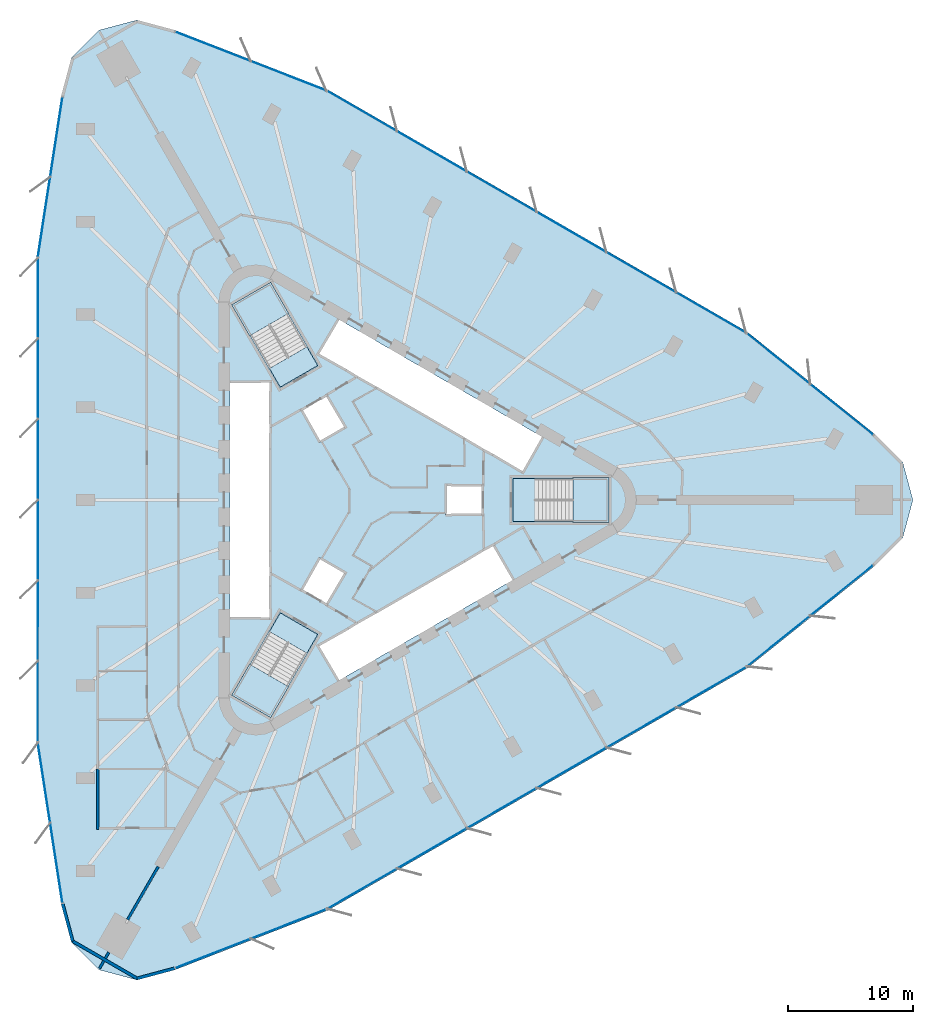
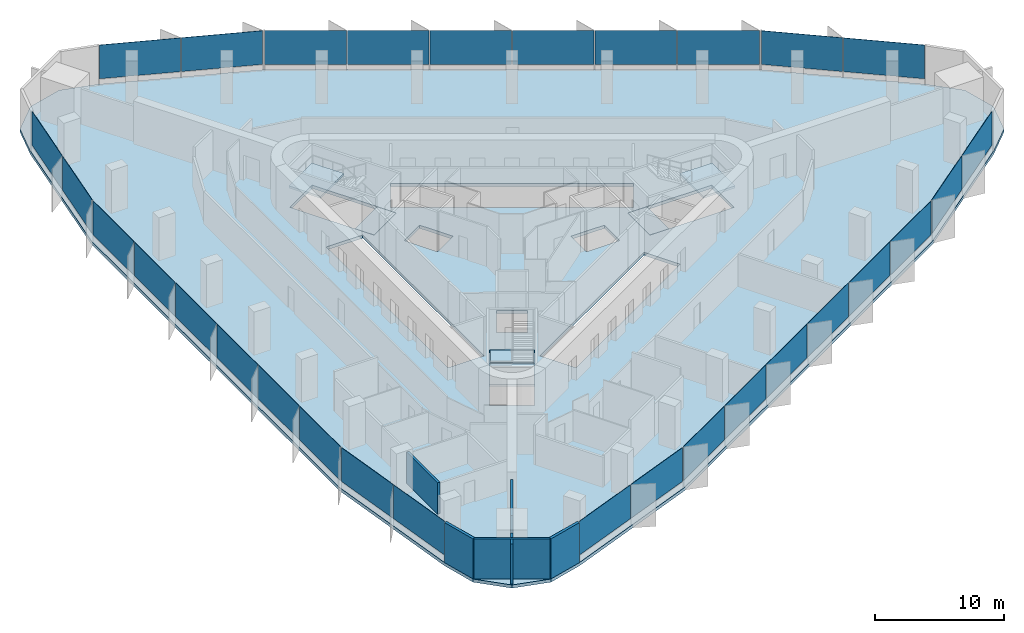
# One storey, part 8 of 15: 30 plates, 7 slabs, 7 walls, 12 elements without a shape of their own.
"""IFC4 building model written with IfcOpenShell, lengths in metres."""

from ifc_helpers import new_model, si_unit, direction, frame, frame_2d, origin, origin_2d, place, context, subcontext, project, spatial, polyline, rectangle, outline, extrude, material, layer, layer_set, type_object, element, aggregate, save


model = new_model("IFC4")

# Units and contexts
model_context = context("Model", 3, precision=1e-05, world=origin(), true_north=direction((0.0, 1.0)))
body_context = subcontext(model_context, "Body", "Model", "MODEL_VIEW")
ifc_project = project(units=[si_unit("LENGTHUNIT", "METRE"), si_unit("AREAUNIT", "SQUARE_METRE"), si_unit("VOLUMEUNIT", "CUBIC_METRE"), si_unit("PLANEANGLEUNIT", "RADIAN"), si_unit("MASSUNIT", "GRAM", prefix="KILO")], contexts=[model_context])

# Site, building, storey
site_placement = place(None, origin())
site = spatial("IfcSite", under=ifc_project, at=site_placement, CompositionType="ELEMENT")
building_placement = place(site_placement, origin())
building = spatial("IfcBuilding", under=site, at=building_placement, Name="Tanit Gate Tower", CompositionType="ELEMENT")
storey_placement = place(building_placement, frame((0.0, 0.0, 131.60009765625)))
storey = spatial("IfcBuildingStorey", under=building, at=storey_placement, Name="L28", CompositionType="ELEMENT", Elevation=131.60009765625)

# Slab
ifc_material_1 = material(Name="Concrete C35/45", Category="concrete")
ifc_layer_1 = layer(ifc_material_1, 0.300048828125)
ifc_layer_set_1 = layer_set([ifc_layer_1], Name="FLOOR SLAB 300 C35/45")
slab_type_1 = type_object("IfcSlabType", Name="FLOOR SLAB 300 C35/45", PredefinedType="FLOOR", material=ifc_layer_set_1)
slab_1_placement = place(storey_placement, frame((0.0, 0.0, -0.300048828125)))
element("IfcSlab", 1, at=slab_1_placement, inside=storey, type_object=slab_type_1, Name="FLOOR SLAB L28", PredefinedType="FLOOR", context=body_context, shape_type="SweptSolid", body=[
    extrude(outline(polyline([(40.200439453125, 5.24365234375), (42.41650390625, 3.02734375), (43.227783203125, 0.0), (42.41650390625, -3.02734375), (40.200439453125, -5.24365234375), (30.038818359375, -13.397216796875), (-3.418212890625, -32.710693359375), (-15.55908203125, -37.436279296875), (-18.58642578125, -38.24755859375), (-21.614013671875, -37.436279296875), (-23.830078125, -35.22021484375), (-24.641357421875, -32.192626953125), (-26.62158203125, -19.315673828125), (-26.619140625, 19.315673828125), (-24.641357421875, 32.192626953125), (-23.830078125, 35.22021484375), (-21.614013671875, 37.436279296875), (-18.58642578125, 38.24755859375), (-15.55908203125, 37.436279296875), (-3.4169921875, 32.712890625), (30.037353515625, 13.39501953125), (40.200439453125, 5.24365234375)]), holes=[polyline([(11.3701171875, 1.72998046875), (18.929931640625, 1.72998046875), (18.929931640625, -1.72998046875), (11.3701171875, -1.72998046875), (11.3701171875, 1.72998046875)]), polyline([(-4.208984375, 11.60986328125), (-2.583984375, 14.424560546875), (13.783935546875, 4.974609375), (12.158935546875, 2.159912109375), (-4.208984375, 11.60986328125)]), polyline([(-4.208984375, -11.60986328125), (9.82080078125, -3.510009765625), (11.44580078125, -6.324462890625), (-2.583984375, -14.424560546875), (-4.208984375, -11.60986328125)]), polyline([(9.0, 1.199951171875), (9.0, -1.199951171875), (6.0, -1.199951171875), (6.0, 1.199951171875), (9.0, 1.199951171875)]), polyline([(-5.539306640625, 7.194091796875), (-3.460693359375, 8.394287109375), (-1.960693359375, 5.796142578125), (-4.039306640625, 4.59619140625), (-5.539306640625, 7.194091796875)]), polyline([(-1.960693359375, -5.796142578125), (-3.460693359375, -8.394287109375), (-5.539306640625, -7.194091796875), (-4.039306640625, -4.59619140625), (-1.960693359375, -5.796142578125)]), polyline([(-10.963134765625, 15.52880859375), (-7.966796875, 17.2587890625), (-4.186767578125, 10.711669921875), (-7.18310546875, 8.981689453125), (-10.963134765625, 15.52880859375)]), polyline([(-4.186767578125, -10.711669921875), (-7.966796875, -17.2587890625), (-10.963134765625, -15.52880859375), (-7.18310546875, -8.981689453125), (-4.186767578125, -10.711669921875)]), polyline([(-11.199951171875, -9.449951171875), (-11.199951171875, 9.449951171875), (-7.949951171875, 9.449951171875), (-7.949951171875, -9.449951171875), (-11.199951171875, -9.449951171875)])]), origin(), (0.0, 0.0, 1.0), 0.300048828125),
])

# Curtain wall, plates
ifc_material_2 = material(Name="Aluminium bronze anodised and glass", Category="aluminium")
curtain_wall_type = type_object("IfcCurtainWallType", Name="Curtain wall typical low", PredefinedType="NOTDEFINED", material=ifc_material_2)
curtain_wall_1_placement = place(storey_placement, origin())
curtain_wall_1 = element("IfcCurtainWall", 2, at=curtain_wall_1_placement, inside=storey, type_object=curtain_wall_type, Name="Curtain wall L28 NE1", PredefinedType="NOTDEFINED")
ifc_material_3 = material(Name="Glass tinted", Category="glass")
ifc_layer_2 = layer(ifc_material_3, 0.031982421875)
ifc_layer_set_2 = layer_set([ifc_layer_2], Name="Glass panel 32 typical low")
plate_type = type_object("IfcPlateType", Name="Glass panel 32 typical low", PredefinedType="CURTAIN_PANEL", material=ifc_layer_set_2)
plate_1_placement = place(storey_placement, frame((37.56689453125, 7.201904296875, 0.60009765625), z_axis=(0.0, 0.0, 1.0), x_axis=(-0.780084936734, 0.625673630163, 0.0)))
plate_1 = element("IfcPlate", 3, at=plate_1_placement, type_object=plate_type, Name="Glass panel L28 NE1.1", PredefinedType="CURTAIN_PANEL", context=body_context, shape_type="SweptSolid", body=[
    extrude(rectangle(XDim=6.38623046875, YDim=0.031982421875, at=origin_2d()), origin(), (0.0, 0.0, 1.0), 3.199951171875),
])
plate_2_placement = place(storey_placement, frame((32.522705078125, 11.247802734375, 0.60009765625), z_axis=(0.0, 0.0, 1.0), x_axis=(-0.780084936734, 0.625673630163, 0.0)))
plate_2 = element("IfcPlate", 4, at=plate_2_placement, type_object=plate_type, Name="Glass panel L28 NE1.2", PredefinedType="CURTAIN_PANEL", context=body_context, shape_type="SweptSolid", body=[
    extrude(rectangle(XDim=6.38623046875, YDim=0.031982421875, at=origin_2d()), origin(), (0.0, 0.0, 1.0), 3.199951171875),
])
aggregate(curtain_wall_1, [plate_1, plate_2])

curtain_wall_2_placement = place(storey_placement, origin())
curtain_wall_2 = element("IfcCurtainWall", 5, at=curtain_wall_2_placement, inside=storey, type_object=curtain_wall_type, Name="Curtain wall L28 NE2", PredefinedType="NOTDEFINED")
plate_3_placement = place(storey_placement, frame((27.154052734375, 14.92138671875, 0.60009765625), z_axis=(0.0, 0.0, 1.0), x_axis=(-0.865990732317, 0.500060047936, 0.0)))
plate_3 = element("IfcPlate", 6, at=plate_3_placement, type_object=plate_type, Name="Glass panel L28 NE2.1", PredefinedType="CURTAIN_PANEL", context=body_context, shape_type="SweptSolid", body=[
    extrude(rectangle(XDim=6.34228515625, YDim=0.031982421875, at=origin_2d()), origin(), (0.0, 0.0, 1.0), 3.199951171875),
])
plate_4_placement = place(storey_placement, frame((21.592529296875, 18.1328125, 0.60009765625), z_axis=(0.0, 0.0, 1.0), x_axis=(-0.865990732317, 0.500060047936, 0.0)))
plate_4 = element("IfcPlate", 7, at=plate_4_placement, type_object=plate_type, Name="Glass panel L28 NE2.2", PredefinedType="CURTAIN_PANEL", context=body_context, shape_type="SweptSolid", body=[
    extrude(rectangle(XDim=6.342041015625, YDim=0.031982421875, at=origin_2d()), origin(), (0.0, 0.0, 1.0), 3.199951171875),
])
plate_5_placement = place(storey_placement, frame((16.031005859375, 21.34423828125, 0.60009765625), z_axis=(0.0, 0.0, 1.0), x_axis=(-0.865990732317, 0.500060047936, 0.0)))
plate_5 = element("IfcPlate", 8, at=plate_5_placement, type_object=plate_type, Name="Glass panel L28 NE2.3", PredefinedType="CURTAIN_PANEL", context=body_context, shape_type="SweptSolid", body=[
    extrude(rectangle(XDim=6.34228515625, YDim=0.031982421875, at=origin_2d()), origin(), (0.0, 0.0, 1.0), 3.199951171875),
])
plate_6_placement = place(storey_placement, frame((10.469482421875, 24.5556640625, 0.60009765625), z_axis=(0.0, 0.0, 1.0), x_axis=(-0.865990732317, 0.500060047936, 0.0)))
plate_6 = element("IfcPlate", 9, at=plate_6_placement, type_object=plate_type, Name="Glass panel L28 NE2.4", PredefinedType="CURTAIN_PANEL", context=body_context, shape_type="SweptSolid", body=[
    extrude(rectangle(XDim=6.342041015625, YDim=0.031982421875, at=origin_2d()), origin(), (0.0, 0.0, 1.0), 3.199951171875),
])
plate_7_placement = place(storey_placement, frame((4.907958984375, 27.76708984375, 0.60009765625), z_axis=(0.0, 0.0, 1.0), x_axis=(-0.865990732317, 0.500060047936, 0.0)))
plate_7 = element("IfcPlate", 10, at=plate_7_placement, type_object=plate_type, Name="Glass panel L28 NE2.5", PredefinedType="CURTAIN_PANEL", context=body_context, shape_type="SweptSolid", body=[
    extrude(rectangle(XDim=6.34228515625, YDim=0.031982421875, at=origin_2d()), origin(), (0.0, 0.0, 1.0), 3.199951171875),
])
plate_8_placement = place(storey_placement, frame((-0.653564453125, 30.978759765625, 0.60009765625), z_axis=(0.0, 0.0, 1.0), x_axis=(-0.865990732317, 0.500060047936, 0.0)))
plate_8 = element("IfcPlate", 11, at=plate_8_placement, type_object=plate_type, Name="Glass panel L28 NE2.6", PredefinedType="CURTAIN_PANEL", context=body_context, shape_type="SweptSolid", body=[
    extrude(rectangle(XDim=6.34228515625, YDim=0.031982421875, at=origin_2d()), origin(), (0.0, 0.0, 1.0), 3.199951171875),
])
aggregate(curtain_wall_2, [plate_3, plate_4, plate_5, plate_6, plate_7, plate_8])

curtain_wall_3_placement = place(storey_placement, origin())
curtain_wall_3 = element("IfcCurtainWall", 12, at=curtain_wall_3_placement, inside=storey, type_object=curtain_wall_type, Name="Curtain wall L28 NE3", PredefinedType="NOTDEFINED")
plate_9_placement = place(storey_placement, frame((-6.51953125, 33.791015625, 0.60009765625), z_axis=(0.0, 0.0, 1.0), x_axis=(-0.931965421252, 0.362547174298, 0.0)))
plate_9 = element("IfcPlate", 13, at=plate_9_placement, type_object=plate_type, Name="Glass panel L28 NE3.1", PredefinedType="CURTAIN_PANEL", context=body_context, shape_type="SweptSolid", body=[
    extrude(rectangle(XDim=6.386474609375, YDim=0.031982421875, at=origin_2d()), origin(), (0.0, 0.0, 1.0), 3.199951171875),
])
plate_10_placement = place(storey_placement, frame((-12.5458984375, 36.135498046875, 0.60009765625), z_axis=(0.0, 0.0, 1.0), x_axis=(-0.931965421252, 0.362547174298, 0.0)))
plate_10 = element("IfcPlate", 14, at=plate_10_placement, type_object=plate_type, Name="Glass panel L28 NE3.2", PredefinedType="CURTAIN_PANEL", context=body_context, shape_type="SweptSolid", body=[
    extrude(rectangle(XDim=6.386474609375, YDim=0.031982421875, at=origin_2d()), origin(), (0.0, 0.0, 1.0), 3.199951171875),
])
aggregate(curtain_wall_3, [plate_9, plate_10])

curtain_wall_4_placement = place(storey_placement, origin())
curtain_wall_4 = element("IfcCurtainWall", 15, at=curtain_wall_4_placement, inside=storey, type_object=curtain_wall_type, Name="Curtain wall L28 W1", PredefinedType="NOTDEFINED")
plate_11_placement = place(storey_placement, frame((-25.0205078125, 28.932861328125, 0.60009765625), z_axis=(0.0, 0.0, 1.0), x_axis=(-0.151806789832, -0.988410187402, 0.0)))
plate_11 = element("IfcPlate", 16, at=plate_11_placement, type_object=plate_type, Name="Glass panel L28 W1.1", PredefinedType="CURTAIN_PANEL", context=body_context, shape_type="SweptSolid", body=[
    extrude(rectangle(XDim=6.38623046875, YDim=0.031982421875, at=origin_2d()), origin(), (0.0, 0.0, 1.0), 3.199951171875),
])
plate_12_placement = place(storey_placement, frame((-26.002197265625, 22.54150390625, 0.60009765625), z_axis=(0.0, 0.0, 1.0), x_axis=(-0.151806789832, -0.988410187402, 0.0)))
plate_12 = element("IfcPlate", 17, at=plate_12_placement, type_object=plate_type, Name="Glass panel L28 W1.2", PredefinedType="CURTAIN_PANEL", context=body_context, shape_type="SweptSolid", body=[
    extrude(rectangle(XDim=6.38623046875, YDim=0.031982421875, at=origin_2d()), origin(), (0.0, 0.0, 1.0), 3.199951171875),
])
aggregate(curtain_wall_4, [plate_11, plate_12])

curtain_wall_5_placement = place(storey_placement, origin())
curtain_wall_5 = element("IfcCurtainWall", 18, at=curtain_wall_5_placement, inside=storey, type_object=curtain_wall_type, Name="Curtain wall L28 W2", PredefinedType="NOTDEFINED")
plate_13_placement = place(storey_placement, frame((-26.499267578125, 16.055419921875, 0.60009765625), z_axis=(0.0, 0.0, 1.0), x_axis=(-6.9338772e-05, -0.999999997596, 0.0)))
plate_13 = element("IfcPlate", 19, at=plate_13_placement, type_object=plate_type, Name="Glass panel L28 W2.1", PredefinedType="CURTAIN_PANEL", context=body_context, shape_type="SweptSolid", body=[
    extrude(rectangle(XDim=6.34228515625, YDim=0.031982421875, at=origin_2d()), origin(), (0.0, 0.0, 1.0), 3.199951171875),
])
plate_14_placement = place(storey_placement, frame((-26.499755859375, 9.63330078125, 0.60009765625), z_axis=(0.0, 0.0, 1.0), x_axis=(-6.9338772e-05, -0.999999997596, 0.0)))
plate_14 = element("IfcPlate", 20, at=plate_14_placement, type_object=plate_type, Name="Glass panel L28 W2.2", PredefinedType="CURTAIN_PANEL", context=body_context, shape_type="SweptSolid", body=[
    extrude(rectangle(XDim=6.342041015625, YDim=0.031982421875, at=origin_2d()), origin(), (0.0, 0.0, 1.0), 3.199951171875),
])
plate_15_placement = place(storey_placement, frame((-26.500244140625, 3.211181640625, 0.60009765625), z_axis=(0.0, 0.0, 1.0), x_axis=(-6.9338772e-05, -0.999999997596, 0.0)))
plate_15 = element("IfcPlate", 21, at=plate_15_placement, type_object=plate_type, Name="Glass panel L28 W2.3", PredefinedType="CURTAIN_PANEL", context=body_context, shape_type="SweptSolid", body=[
    extrude(rectangle(XDim=6.34228515625, YDim=0.031982421875, at=origin_2d()), origin(), (0.0, 0.0, 1.0), 3.199951171875),
])
plate_16_placement = place(storey_placement, frame((-26.500732421875, -3.211181640625, 0.60009765625), z_axis=(0.0, 0.0, 1.0), x_axis=(-6.9338772e-05, -0.999999997596, 0.0)))
plate_16 = element("IfcPlate", 22, at=plate_16_placement, type_object=plate_type, Name="Glass panel L28 W2.4", PredefinedType="CURTAIN_PANEL", context=body_context, shape_type="SweptSolid", body=[
    extrude(rectangle(XDim=6.342041015625, YDim=0.031982421875, at=origin_2d()), origin(), (0.0, 0.0, 1.0), 3.199951171875),
])
plate_17_placement = place(storey_placement, frame((-26.5009765625, -9.63330078125, 0.60009765625), z_axis=(0.0, 0.0, 1.0), x_axis=(-6.9338772e-05, -0.999999997596, 0.0)))
plate_17 = element("IfcPlate", 23, at=plate_17_placement, type_object=plate_type, Name="Glass panel L28 W2.5", PredefinedType="CURTAIN_PANEL", context=body_context, shape_type="SweptSolid", body=[
    extrude(rectangle(XDim=6.34228515625, YDim=0.031982421875, at=origin_2d()), origin(), (0.0, 0.0, 1.0), 3.199951171875),
])
plate_18_placement = place(storey_placement, frame((-26.50146484375, -16.055419921875, 0.60009765625), z_axis=(0.0, 0.0, 1.0), x_axis=(-6.9338772e-05, -0.999999997596, 0.0)))
plate_18 = element("IfcPlate", 24, at=plate_18_placement, type_object=plate_type, Name="Glass panel L28 W2.6", PredefinedType="CURTAIN_PANEL", context=body_context, shape_type="SweptSolid", body=[
    extrude(rectangle(XDim=6.34228515625, YDim=0.031982421875, at=origin_2d()), origin(), (0.0, 0.0, 1.0), 3.199951171875),
])
aggregate(curtain_wall_5, [plate_13, plate_14, plate_15, plate_16, plate_17, plate_18])

curtain_wall_6_placement = place(storey_placement, origin())
curtain_wall_6 = element("IfcCurtainWall", 25, at=curtain_wall_6_placement, inside=storey, type_object=curtain_wall_type, Name="Curtain wall L28 W3", PredefinedType="NOTDEFINED")
plate_19_placement = place(storey_placement, frame((-26.004150390625, -22.541748046875, 0.60009765625), z_axis=(0.0, 0.0, 1.0), x_axis=(0.152007647614, -0.988379317401, 0.0)))
plate_19 = element("IfcPlate", 26, at=plate_19_placement, type_object=plate_type, Name="Glass panel L28 W3.1", PredefinedType="CURTAIN_PANEL", context=body_context, shape_type="SweptSolid", body=[
    extrude(rectangle(XDim=6.386474609375, YDim=0.031982421875, at=origin_2d()), origin(), (0.0, 0.0, 1.0), 3.199951171875),
])
plate_20_placement = place(storey_placement, frame((-25.021240234375, -28.932861328125, 0.60009765625), z_axis=(0.0, 0.0, 1.0), x_axis=(0.152007647614, -0.988379317401, 0.0)))
plate_20 = element("IfcPlate", 27, at=plate_20_placement, type_object=plate_type, Name="Glass panel L28 W3.2", PredefinedType="CURTAIN_PANEL", context=body_context, shape_type="SweptSolid", body=[
    extrude(rectangle(XDim=6.386474609375, YDim=0.031982421875, at=origin_2d()), origin(), (0.0, 0.0, 1.0), 3.199951171875),
])
aggregate(curtain_wall_6, [plate_19, plate_20])

curtain_wall_7_placement = place(storey_placement, origin())
curtain_wall_7 = element("IfcCurtainWall", 28, at=curtain_wall_7_placement, inside=storey, type_object=curtain_wall_type, Name="Curtain wall L28 SE1", PredefinedType="NOTDEFINED")
plate_21_placement = place(storey_placement, frame((-12.54638671875, -36.135009765625, 0.60009765625), z_axis=(0.0, 0.0, 1.0), x_axis=(0.931891726566, 0.36273655724, 0.0)))
plate_21 = element("IfcPlate", 29, at=plate_21_placement, type_object=plate_type, Name="Glass panel L28 SE1.1", PredefinedType="CURTAIN_PANEL", context=body_context, shape_type="SweptSolid", body=[
    extrude(rectangle(XDim=6.38623046875, YDim=0.031982421875, at=origin_2d()), origin(), (0.0, 0.0, 1.0), 3.199951171875),
])
plate_22_placement = place(storey_placement, frame((-6.5205078125, -33.789306640625, 0.60009765625), z_axis=(0.0, 0.0, 1.0), x_axis=(0.931891726566, 0.36273655724, 0.0)))
plate_22 = element("IfcPlate", 30, at=plate_22_placement, type_object=plate_type, Name="Glass panel L28 SE1.2", PredefinedType="CURTAIN_PANEL", context=body_context, shape_type="SweptSolid", body=[
    extrude(rectangle(XDim=6.38623046875, YDim=0.031982421875, at=origin_2d()), origin(), (0.0, 0.0, 1.0), 3.199951171875),
])
aggregate(curtain_wall_7, [plate_21, plate_22])

curtain_wall_8_placement = place(storey_placement, origin())
curtain_wall_8 = element("IfcCurtainWall", 31, at=curtain_wall_8_placement, inside=storey, type_object=curtain_wall_type, Name="Curtain wall L28 SE2", PredefinedType="NOTDEFINED")
plate_23_placement = place(storey_placement, frame((-0.65478515625, -30.976806640625, 0.60009765625), z_axis=(0.0, 0.0, 1.0), x_axis=(0.866060071089, 0.49993994966, 0.0)))
plate_23 = element("IfcPlate", 32, at=plate_23_placement, type_object=plate_type, Name="Glass panel L28 SE2.1", PredefinedType="CURTAIN_PANEL", context=body_context, shape_type="SweptSolid", body=[
    extrude(rectangle(XDim=6.34228515625, YDim=0.031982421875, at=origin_2d()), origin(), (0.0, 0.0, 1.0), 3.199951171875),
])
plate_24_placement = place(storey_placement, frame((4.9072265625, -27.76611328125, 0.60009765625), z_axis=(0.0, 0.0, 1.0), x_axis=(0.866060071089, 0.49993994966, 0.0)))
plate_24 = element("IfcPlate", 33, at=plate_24_placement, type_object=plate_type, Name="Glass panel L28 SE2.2", PredefinedType="CURTAIN_PANEL", context=body_context, shape_type="SweptSolid", body=[
    extrude(rectangle(XDim=6.342041015625, YDim=0.031982421875, at=origin_2d()), origin(), (0.0, 0.0, 1.0), 3.199951171875),
])
plate_25_placement = place(storey_placement, frame((10.46923828125, -24.555419921875, 0.60009765625), z_axis=(0.0, 0.0, 1.0), x_axis=(0.866060071089, 0.49993994966, 0.0)))
plate_25 = element("IfcPlate", 34, at=plate_25_placement, type_object=plate_type, Name="Glass panel L28 SE2.3", PredefinedType="CURTAIN_PANEL", context=body_context, shape_type="SweptSolid", body=[
    extrude(rectangle(XDim=6.34228515625, YDim=0.031982421875, at=origin_2d()), origin(), (0.0, 0.0, 1.0), 3.199951171875),
])
plate_26_placement = place(storey_placement, frame((16.03125, -21.3447265625, 0.60009765625), z_axis=(0.0, 0.0, 1.0), x_axis=(0.866060071089, 0.49993994966, 0.0)))
plate_26 = element("IfcPlate", 35, at=plate_26_placement, type_object=plate_type, Name="Glass panel L28 SE2.4", PredefinedType="CURTAIN_PANEL", context=body_context, shape_type="SweptSolid", body=[
    extrude(rectangle(XDim=6.342041015625, YDim=0.031982421875, at=origin_2d()), origin(), (0.0, 0.0, 1.0), 3.199951171875),
])
plate_27_placement = place(storey_placement, frame((21.59326171875, -18.134033203125, 0.60009765625), z_axis=(0.0, 0.0, 1.0), x_axis=(0.866060071089, 0.49993994966, 0.0)))
plate_27 = element("IfcPlate", 36, at=plate_27_placement, type_object=plate_type, Name="Glass panel L28 SE2.5", PredefinedType="CURTAIN_PANEL", context=body_context, shape_type="SweptSolid", body=[
    extrude(rectangle(XDim=6.34228515625, YDim=0.031982421875, at=origin_2d()), origin(), (0.0, 0.0, 1.0), 3.199951171875),
])
plate_28_placement = place(storey_placement, frame((27.1552734375, -14.92333984375, 0.60009765625), z_axis=(0.0, 0.0, 1.0), x_axis=(0.866060071089, 0.49993994966, 0.0)))
plate_28 = element("IfcPlate", 37, at=plate_28_placement, type_object=plate_type, Name="Glass panel L28 SE2.6", PredefinedType="CURTAIN_PANEL", context=body_context, shape_type="SweptSolid", body=[
    extrude(rectangle(XDim=6.34228515625, YDim=0.031982421875, at=origin_2d()), origin(), (0.0, 0.0, 1.0), 3.199951171875),
])
aggregate(curtain_wall_8, [plate_23, plate_24, plate_25, plate_26, plate_27, plate_28])

curtain_wall_9_placement = place(storey_placement, origin())
curtain_wall_9 = element("IfcCurtainWall", 38, at=curtain_wall_9_placement, inside=storey, type_object=curtain_wall_type, Name="Curtain wall L28 SE3", PredefinedType="NOTDEFINED")
plate_29_placement = place(storey_placement, frame((32.523681640625, -11.24951171875, 0.60009765625), z_axis=(0.0, 0.0, 1.0), x_axis=(0.779957773638, 0.625832143104, 0.0)))
plate_29 = element("IfcPlate", 39, at=plate_29_placement, type_object=plate_type, Name="Glass panel L28 SE3.1", PredefinedType="CURTAIN_PANEL", context=body_context, shape_type="SweptSolid", body=[
    extrude(rectangle(XDim=6.386474609375, YDim=0.031982421875, at=origin_2d()), origin(), (0.0, 0.0, 1.0), 3.199951171875),
])
plate_30_placement = place(storey_placement, frame((37.567138671875, -7.20263671875, 0.60009765625), z_axis=(0.0, 0.0, 1.0), x_axis=(0.779957773638, 0.625832143104, 0.0)))
plate_30 = element("IfcPlate", 40, at=plate_30_placement, type_object=plate_type, Name="Glass panel L28 SE3.2", PredefinedType="CURTAIN_PANEL", context=body_context, shape_type="SweptSolid", body=[
    extrude(rectangle(XDim=6.386474609375, YDim=0.031982421875, at=origin_2d()), origin(), (0.0, 0.0, 1.0), 3.199951171875),
])
aggregate(curtain_wall_9, [plate_29, plate_30])

# Stair, slab
ifc_material_4 = material(Name="Concrete C40/50", Category="concrete")
stair_type = type_object("IfcStairType", Name="INT-STAIR-EXIT", PredefinedType="HALF_TURN_STAIR", material=ifc_material_4)
stair_1_placement = place(storey_placement, origin())
stair_1 = element("IfcStair", 41, at=stair_1_placement, inside=storey, type_object=stair_type, Name="L28 STAIR S1", PredefinedType="HALF_TURN_STAIR")
ifc_material_5 = material(Name="Concrete C40/50", Category="concrete")
ifc_layer_3 = layer(ifc_material_5, 0.199951171875)
ifc_layer_set_3 = layer_set([ifc_layer_3], Name="INT-STAIR-LANDING")
slab_type_2 = type_object("IfcSlabType", Name="INT-STAIR-LANDING", PredefinedType="LANDING", material=ifc_layer_set_3)
slab_2_placement = place(storey_placement, frame((0.0, 0.0, 1.849853515625)))
slab_2 = element("IfcSlab", 42, at=slab_2_placement, type_object=slab_type_2, Name="S1 landing 1", PredefinedType="LANDING", context=body_context, shape_type="SweptSolid", body=[
    extrude(outline(polyline([(16.135986328125, -1.800048828125), (19.0, -1.800048828125), (19.0, 1.800048828125), (16.135986328125, 1.800048828125), (16.135986328125, -1.800048828125)])), origin(), (0.0, 0.0, 1.0), 0.199951171875),
])
aggregate(stair_1, [slab_2])

# Slab
slab_3_placement = place(storey_placement, frame((0.0, 0.0, -0.2001953125)))
element("IfcSlab", 43, at=slab_3_placement, inside=storey, type_object=slab_type_2, Name="S1 floor landing", PredefinedType="LANDING", context=body_context, shape_type="SweptSolid", body=[
    extrude(outline(polyline([(11.3798828125, -1.719970703125), (13.10498046875, -1.719970703125), (13.10498046875, 1.719970703125), (11.3798828125, 1.719970703125), (11.3798828125, -1.719970703125)])), origin(), (0.0, 0.0, 1.0), 0.2001953125),
])

# Stair, slab
stair_2_placement = place(storey_placement, origin())
stair_2 = element("IfcStair", 44, at=stair_2_placement, inside=storey, type_object=stair_type, Name="L28 STAIR S2", PredefinedType="HALF_TURN_STAIR")
slab_4_placement = place(storey_placement, frame((0.0, 0.0, 1.849853515625)))
slab_4 = element("IfcSlab", 45, at=slab_4_placement, type_object=slab_type_2, Name="S2 landing 1", PredefinedType="LANDING", context=body_context, shape_type="SweptSolid", body=[
    extrude(outline(polyline([(-6.5078125, 14.871826171875), (-7.941162109375, 17.3544921875), (-11.058837890625, 15.554443359375), (-9.62548828125, 13.07177734375), (-6.5078125, 14.871826171875)])), origin(), (0.0, 0.0, 1.0), 0.199951171875),
])
aggregate(stair_2, [slab_4])

# Slab
slab_5_placement = place(storey_placement, frame((0.0, 0.0, -0.2001953125)))
element("IfcSlab", 46, at=slab_5_placement, inside=storey, type_object=slab_type_2, Name="S2 floor landing", PredefinedType="LANDING", context=body_context, shape_type="SweptSolid", body=[
    extrude(outline(polyline([(-4.200439453125, 10.71533203125), (-5.0625, 12.20849609375), (-8.04150390625, 10.48828125), (-7.179443359375, 8.995361328125), (-4.200439453125, 10.71533203125)])), origin(), (0.0, 0.0, 1.0), 0.2001953125),
])

# Stair, slab
stair_3_placement = place(storey_placement, origin())
stair_3 = element("IfcStair", 47, at=stair_3_placement, inside=storey, type_object=stair_type, Name="L28 STAIR S3", PredefinedType="HALF_TURN_STAIR")
slab_6_placement = place(storey_placement, frame((0.0, 0.0, 1.849853515625)))
slab_6 = element("IfcSlab", 48, at=slab_6_placement, type_object=slab_type_2, Name="S3 landing 1", PredefinedType="LANDING", context=body_context, shape_type="SweptSolid", body=[
    extrude(outline(polyline([(-9.626953125, -13.07421875), (-11.058837890625, -15.554443359375), (-7.941162109375, -17.3544921875), (-6.509033203125, -14.874267578125), (-9.626953125, -13.07421875)])), origin(), (0.0, 0.0, 1.0), 0.199951171875),
])
aggregate(stair_3, [slab_6])

# Slab
slab_7_placement = place(storey_placement, frame((0.0, 0.0, -0.2001953125)))
element("IfcSlab", 49, at=slab_7_placement, inside=storey, type_object=slab_type_2, Name="S3 floor landing", PredefinedType="LANDING", context=body_context, shape_type="SweptSolid", body=[
    extrude(outline(polyline([(-7.179443359375, -8.995361328125), (-8.0419921875, -10.4892578125), (-5.06298828125, -12.209228515625), (-4.200439453125, -10.71533203125), (-7.179443359375, -8.995361328125)])), origin(), (0.0, 0.0, 1.0), 0.2001953125),
])

# Walls
ifc_material_6 = material(Name="Concrete C30/37 with bronze anodised aluminium cladding", Category="concrete")
ifc_layer_4 = layer(ifc_material_6, 0.239990234375)
ifc_layer_set_4 = layer_set([ifc_layer_4], Name="Facade wall bronze clad 240")
wall_type_1 = type_object("IfcWallType", Name="Facade wall bronze clad 240", PredefinedType="SOLIDWALL", material=ifc_layer_set_4)
wall_1_placement = place(storey_placement, frame((-24.523681640625, -32.16796875, 0.0), z_axis=(0.0, 0.0, 1.0), x_axis=(0.258850410475, -0.965917421417, 0.0)))
element("IfcWall", 50, at=wall_1_placement, inside=storey, type_object=wall_type_1, Name="Bronze-clad facade wall L28 SW.arc1", PredefinedType="SOLIDWALL", context=body_context, shape_type="SweptSolid", body=[
    extrude(rectangle(XDim=3.095458984375, YDim=0.239990234375, at=frame_2d((1.5478515625, 0.0))), origin(), (0.0, 0.0, 1.0), 3.7998046875),
])
wall_2_placement = place(storey_placement, frame((-23.722412109375, -35.157958984375, 0.0), z_axis=(0.0, 0.0, 1.0), x_axis=(0.866020370013, -0.500008718647, 0.0)))
element("IfcWall", 51, at=wall_2_placement, inside=storey, type_object=wall_type_1, Name="Bronze-clad facade wall L28 SW.arc2", PredefinedType="SOLIDWALL", context=body_context, shape_type="SweptSolid", body=[
    extrude(rectangle(XDim=5.9306640625, YDim=0.239990234375, at=frame_2d((2.96533203125, 0.0))), origin(), (0.0, 0.0, 1.0), 3.7998046875),
])
wall_3_placement = place(storey_placement, frame((-18.58642578125, -38.123291015625, 0.0), z_axis=(0.0, 0.0, 1.0), x_axis=(0.965937138664, 0.258776823055, 0.0)))
element("IfcWall", 52, at=wall_3_placement, inside=storey, type_object=wall_type_1, Name="Bronze-clad facade wall L28 SW.arc3", PredefinedType="SOLIDWALL", context=body_context, shape_type="SweptSolid", body=[
    extrude(rectangle(XDim=3.095458984375, YDim=0.239990234375, at=frame_2d((1.5478515625, 0.0))), origin(), (0.0, 0.0, 1.0), 3.7998046875),
])
ifc_material_7 = material(Name="Fire-rated gypsum board partition")
ifc_layer_5 = layer(ifc_material_7, 0.199951171875)
ifc_layer_set_5 = layer_set([ifc_layer_5], Name="INT-WALL-COMPARTMENT")
wall_type_2 = type_object("IfcWallType", Name="INT-WALL-COMPARTMENT", PredefinedType="PARTITIONING", material=ifc_layer_set_5)
wall_4_placement = place(storey_placement, frame((-21.57373046875, -37.306884765625, 0.0), z_axis=(0.0, 0.0, 1.0), x_axis=(0.499880961361, 0.866094119867, 0.0)))
element("IfcWall", 53, at=wall_4_placement, inside=storey, type_object=wall_type_2, Name="Wall Compartment W117", PredefinedType="PARTITIONING", context=body_context, shape_type="SweptSolid", body=[
    extrude(rectangle(XDim=0.666748046875, YDim=0.199951171875, at=frame_2d((0.33349609375, 0.0))), origin(), (0.0, 0.0, 1.0), 3.7998046875),
])
wall_5_placement = place(storey_placement, frame((-21.12060546875, -36.521728515625, 0.0), z_axis=(0.0, 0.0, 1.0), x_axis=(0.500161656815, 0.86593205106, 0.0)))
element("IfcWall", 54, at=wall_5_placement, inside=storey, type_object=wall_type_2, Name="Wall Compartment W117x1", PredefinedType="PARTITIONING", context=body_context, shape_type="SweptSolid", body=[
    extrude(rectangle(XDim=0.561279296875, YDim=0.199951171875, at=frame_2d((0.28076171875, 0.0))), origin(), (0.0, 0.0, 1.0), 3.7998046875),
])
wall_6_placement = place(storey_placement, frame((-19.33984375, -33.437744140625, 0.0), z_axis=(0.0, 0.0, 1.0), x_axis=(0.500002508028, 0.866023955769, 0.0)))
element("IfcWall", 55, at=wall_6_placement, inside=storey, type_object=wall_type_2, Name="Wall Compartment W118", PredefinedType="PARTITIONING", context=body_context, shape_type="SweptSolid", body=[
    extrude(rectangle(XDim=4.8798828125, YDim=0.199951171875, at=frame_2d((2.43994140625, 0.0))), origin(), (0.0, 0.0, 1.0), 3.369873046875),
])
wall_7_placement = place(storey_placement, frame((-21.72998046875, -26.239990234375, 0.0), z_axis=(0.0, 0.0, 1.0), x_axis=(0.0, 1.0, 0.0)))
element("IfcWall", 56, at=wall_7_placement, inside=storey, type_object=wall_type_2, Name="Wall Compartment W124", PredefinedType="PARTITIONING", context=body_context, shape_type="SweptSolid", body=[
    extrude(rectangle(XDim=4.80859375, YDim=0.199951171875, at=frame_2d((2.404296875, 0.0))), origin(), (0.0, 0.0, 1.0), 2.97998046875),
])

save(model, "model.ifc")
